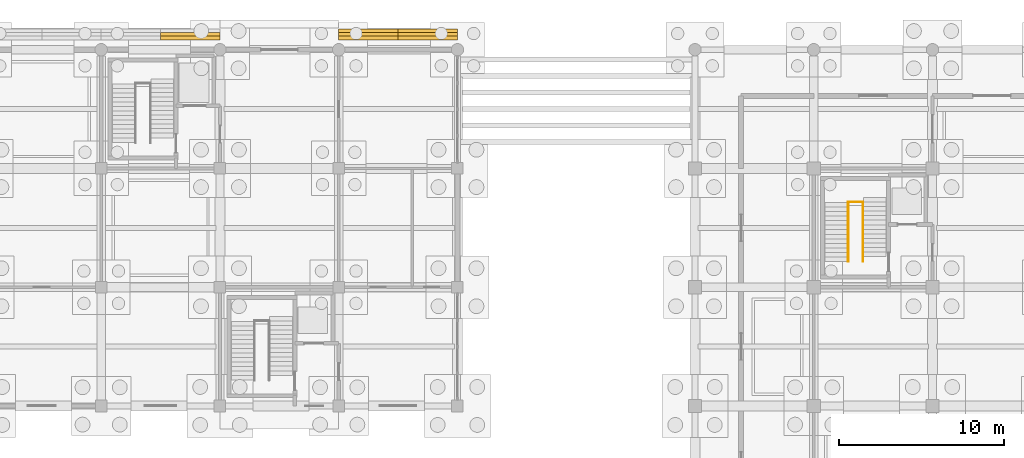
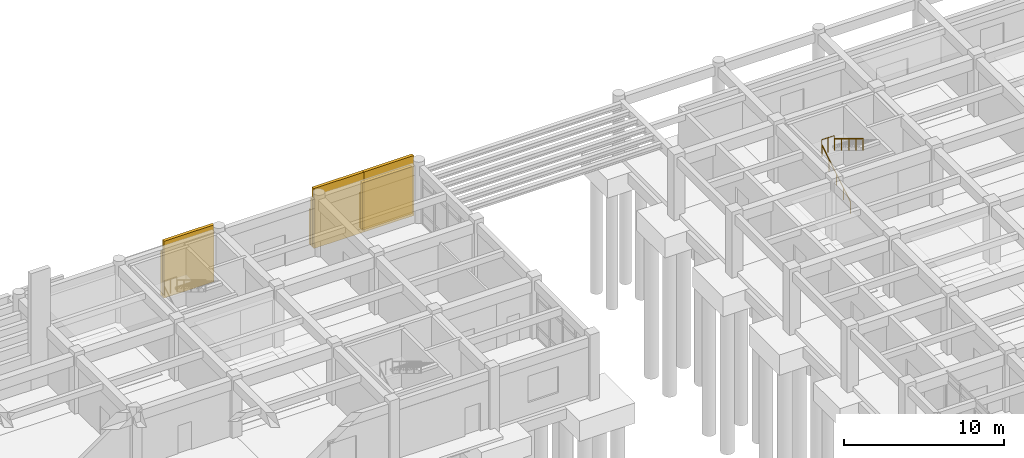
# One storey, part 76 of 79: 8 coverings, 3 railings.
"""IFC4 building model written with IfcOpenShell, lengths in metres."""

from ifc_helpers import new_model, si_unit, direction, frame, origin, origin_2d, place, context, subcontext, project, spatial, polyline, circle, outline, extrude, material, layer, layer_set, type_object, element, save


model = new_model("IFC4")

# Units and contexts
model_context = context("Model", 3, precision=1e-05, world=origin(), true_north=direction((0.0, 1.0)))
body_context = subcontext(model_context, "Body", "Model", "MODEL_VIEW")
ifc_project = project(units=[si_unit("LENGTHUNIT", "METRE"), si_unit("AREAUNIT", "SQUARE_METRE"), si_unit("VOLUMEUNIT", "CUBIC_METRE"), si_unit("PLANEANGLEUNIT", "RADIAN"), si_unit("MASSUNIT", "GRAM", prefix="KILO")], contexts=[model_context])

# Site, building, storey
site_placement = place(None, origin())
site = spatial("IfcSite", under=ifc_project, at=site_placement, CompositionType="ELEMENT")
building_placement = place(site_placement, origin())
building = spatial("IfcBuilding", under=site, at=building_placement, Name="Kavelor Marine Aquarium", CompositionType="ELEMENT")
storey_placement = place(building_placement, origin())
storey = spatial("IfcBuildingStorey", under=building, at=storey_placement, Name="L00", CompositionType="ELEMENT", Elevation=0.0)

# Coverings
ifc_material_1 = material(Name="Concrete C45/55", Category="concrete")
ifc_layer_1 = layer(ifc_material_1, 0.300048828125)
ifc_layer_set_1 = layer_set([ifc_layer_1], Name="COV-BND1")
covering_type_1 = type_object("IfcCoveringType", Name="COV-BND1", PredefinedType="CLADDING", material=ifc_layer_set_1)
covering_1_placement = place(storey_placement, origin())
element("IfcCovering", 1, at=covering_1_placement, inside=storey, type_object=covering_type_1, Name="band:north:1:r:06", PredefinedType="CLADDING", context=body_context, shape_type="SweptSolid", body=[
    extrude(outline(polyline([(96.800048828125, 111.820068359375), (100.39990234375, 111.820068359375), (100.39990234375, 112.0400390625), (96.800048828125, 112.0400390625), (96.800048828125, 111.820068359375)])), origin(), (0.0, 0.0, 1.0), 2.64990234375),
])
covering_2_placement = place(storey_placement, origin())
element("IfcCovering", 2, at=covering_2_placement, inside=storey, type_object=covering_type_1, Name="band:north:1:r:07", PredefinedType="CLADDING", context=body_context, shape_type="SweptSolid", body=[
    extrude(outline(polyline([(100.39990234375, 111.820068359375), (104.0, 111.820068359375), (104.0, 112.0400390625), (100.39990234375, 112.0400390625), (100.39990234375, 111.820068359375)])), origin(), (0.0, 0.0, 1.0), 2.64990234375),
])
ifc_material_2 = material(Name="Concrete C45/55", Category="concrete")
ifc_layer_2 = layer(ifc_material_2, 0.320068359375)
ifc_layer_set_2 = layer_set([ifc_layer_2], Name="COV-BND2")
covering_type_2 = type_object("IfcCoveringType", Name="COV-BND2", PredefinedType="CLADDING", material=ifc_layer_set_2)
covering_3_placement = place(storey_placement, origin())
element("IfcCovering", 3, at=covering_3_placement, inside=storey, type_object=covering_type_2, Name="band:north:2:r:03", PredefinedType="CLADDING", context=body_context, shape_type="SweptSolid", body=[
    extrude(outline(polyline([(86.0, 111.610107421875), (89.60009765625, 111.610107421875), (89.60009765625, 111.830078125), (86.0, 111.830078125), (86.0, 111.610107421875)])), origin(), (0.0, 0.0, 1.0), 3.37109375),
])
covering_4_placement = place(storey_placement, origin())
element("IfcCovering", 4, at=covering_4_placement, inside=storey, type_object=covering_type_2, Name="band:north:2:r:06", PredefinedType="CLADDING", context=body_context, shape_type="SweptSolid", body=[
    extrude(outline(polyline([(96.800048828125, 111.610107421875), (100.39990234375, 111.610107421875), (100.39990234375, 111.830078125), (96.800048828125, 111.830078125), (96.800048828125, 111.610107421875)])), origin(), (0.0, 0.0, 1.0), 3.610107421875),
])
covering_5_placement = place(storey_placement, origin())
element("IfcCovering", 5, at=covering_5_placement, inside=storey, type_object=covering_type_2, Name="band:north:2:r:07", PredefinedType="CLADDING", context=body_context, shape_type="SweptSolid", body=[
    extrude(outline(polyline([(100.39990234375, 111.610107421875), (104.0, 111.610107421875), (104.0, 111.830078125), (100.39990234375, 111.830078125), (100.39990234375, 111.610107421875)])), origin(), (0.0, 0.0, 1.0), 3.610107421875),
])
ifc_material_3 = material(Name="Concrete C45/55", Category="concrete")
ifc_layer_3 = layer(ifc_material_3, 0.340087890625)
ifc_layer_set_3 = layer_set([ifc_layer_3], Name="COV-BND3")
covering_type_3 = type_object("IfcCoveringType", Name="COV-BND3", PredefinedType="CLADDING", material=ifc_layer_set_3)
covering_6_placement = place(storey_placement, origin())
element("IfcCovering", 6, at=covering_6_placement, inside=storey, type_object=covering_type_3, Name="band:north:3:r:03", PredefinedType="CLADDING", context=body_context, shape_type="SweptSolid", body=[
    extrude(outline(polyline([(86.0, 111.39990234375), (89.60009765625, 111.39990234375), (89.60009765625, 111.6201171875), (86.0, 111.6201171875), (86.0, 111.39990234375)])), origin(), (0.0, 0.0, 1.0), 4.3310546875),
])
covering_7_placement = place(storey_placement, origin())
element("IfcCovering", 7, at=covering_7_placement, inside=storey, type_object=covering_type_3, Name="band:north:3:r:06", PredefinedType="CLADDING", context=body_context, shape_type="SweptSolid", body=[
    extrude(outline(polyline([(96.800048828125, 111.39990234375), (100.39990234375, 111.39990234375), (100.39990234375, 111.6201171875), (96.800048828125, 111.6201171875), (96.800048828125, 111.39990234375)])), origin(), (0.0, 0.0, 1.0), 4.570068359375),
])
covering_8_placement = place(storey_placement, origin())
element("IfcCovering", 8, at=covering_8_placement, inside=storey, type_object=covering_type_3, Name="band:north:3:r:07", PredefinedType="CLADDING", context=body_context, shape_type="SweptSolid", body=[
    extrude(outline(polyline([(100.39990234375, 111.39990234375), (104.0, 111.39990234375), (104.0, 111.6201171875), (100.39990234375, 111.6201171875), (100.39990234375, 111.39990234375)])), origin(), (0.0, 0.0, 1.0), 4.570068359375),
])

# Railings
ifc_material_4 = material(Name="Brushed Stainless Steel Wall and Flight Handrail", Category="steel")
railing_type_1 = type_object("IfcRailingType", Name="RL-HR1", PredefinedType="HANDRAIL", material=ifc_material_4)
railing_1_placement = place(storey_placement, frame((127.68994140625, 97.9599609375, 0.0)))
element("IfcRailing", 9, at=railing_1_placement, inside=storey, type_object=railing_type_1, Name="Stair Handrail ST10-1", PredefinedType="HANDRAIL", context=body_context, shape_type="SweptSolid", body=[
    extrude(circle(Radius=0.02001953125, at=origin_2d()), frame((0.0, 0.0, 0.8798828125), z_axis=(0.0, 0.854538701388, 0.519387723988), x_axis=(-1.0, 0.0, 0.0)), (0.0, 0.0, 1.0), 4.18359375),
    extrude(circle(Radius=0.01806640625, at=origin_2d()), origin(), (0.0, 0.0, 1.0), 0.85986328125),
    extrude(circle(Radius=0.01806640625, at=origin_2d()), frame((0.0, 0.893798828125, 0.543212890625)), (0.0, 0.0, 1.0), 0.85986328125),
    extrude(circle(Radius=0.01806640625, at=origin_2d()), frame((0.0, 1.78759765625, 1.08642578125)), (0.0, 0.0, 1.0), 0.85986328125),
    extrude(circle(Radius=0.01806640625, at=origin_2d()), frame((0.0, 2.68115234375, 1.629638671875)), (0.0, 0.0, 1.0), 0.85986328125),
    extrude(circle(Radius=0.01806640625, at=origin_2d()), frame((0.0, 3.574951171875, 2.1728515625)), (0.0, 0.0, 1.0), 0.85986328125),
])
railing_2_placement = place(storey_placement, frame((128.590087890625, 101.534912109375, 2.340087890625)))
element("IfcRailing", 10, at=railing_2_placement, inside=storey, type_object=railing_type_1, Name="Stair Handrail ST10-2", PredefinedType="HANDRAIL", context=body_context, shape_type="SweptSolid", body=[
    extrude(circle(Radius=0.02001953125, at=origin_2d()), frame((0.0, 0.0, 0.8798828125), z_axis=(0.0, -0.854538701388, 0.519387723988), x_axis=(1.0, 0.0, 0.0)), (0.0, 0.0, 1.0), 4.18359375),
    extrude(circle(Radius=0.01806640625, at=origin_2d()), origin(), (0.0, 0.0, 1.0), 0.85986328125),
    extrude(circle(Radius=0.01806640625, at=origin_2d()), frame((0.0, -0.893798828125, 0.543212890625)), (0.0, 0.0, 1.0), 0.85986328125),
    extrude(circle(Radius=0.01806640625, at=origin_2d()), frame((0.0, -1.78759765625, 1.08642578125)), (0.0, 0.0, 1.0), 0.85986328125),
    extrude(circle(Radius=0.01806640625, at=origin_2d()), frame((0.0, -2.68115234375, 1.629638671875)), (0.0, 0.0, 1.0), 0.85986328125),
    extrude(circle(Radius=0.01806640625, at=origin_2d()), frame((0.0, -3.574951171875, 2.1728515625)), (0.0, 0.0, 1.0), 0.85986328125),
])
ifc_material_5 = material(Name="Brushed Stainless Steel Stair Guardrail", Category="steel")
railing_type_2 = type_object("IfcRailingType", Name="RL-SG1", PredefinedType="GUARDRAIL", material=ifc_material_5)
railing_3_placement = place(storey_placement, frame((127.68994140625, 101.56494140625, 2.340087890625)))
element("IfcRailing", 11, at=railing_3_placement, inside=storey, type_object=railing_type_2, Name="Landing Guardrail ST10-M", PredefinedType="GUARDRAIL", context=body_context, shape_type="SweptSolid", body=[
    extrude(circle(Radius=0.0224609375, at=origin_2d()), frame((0.0, 0.0, 1.09765625), z_axis=(1.0, 0.0, 0.0), x_axis=(0.0, 1.0, 0.0)), (0.0, 0.0, 1.0), 0.900146484375),
    extrude(circle(Radius=0.02099609375, at=origin_2d()), origin(), (0.0, 0.0, 1.0), 1.0751953125),
    extrude(circle(Radius=0.02099609375, at=origin_2d()), frame((0.4501953125, 0.0, 0.0)), (0.0, 0.0, 1.0), 1.0751953125),
    extrude(circle(Radius=0.02099609375, at=origin_2d()), frame((0.900146484375, 0.0, 0.0)), (0.0, 0.0, 1.0), 1.0751953125),
])

save(model, "model.ifc")
